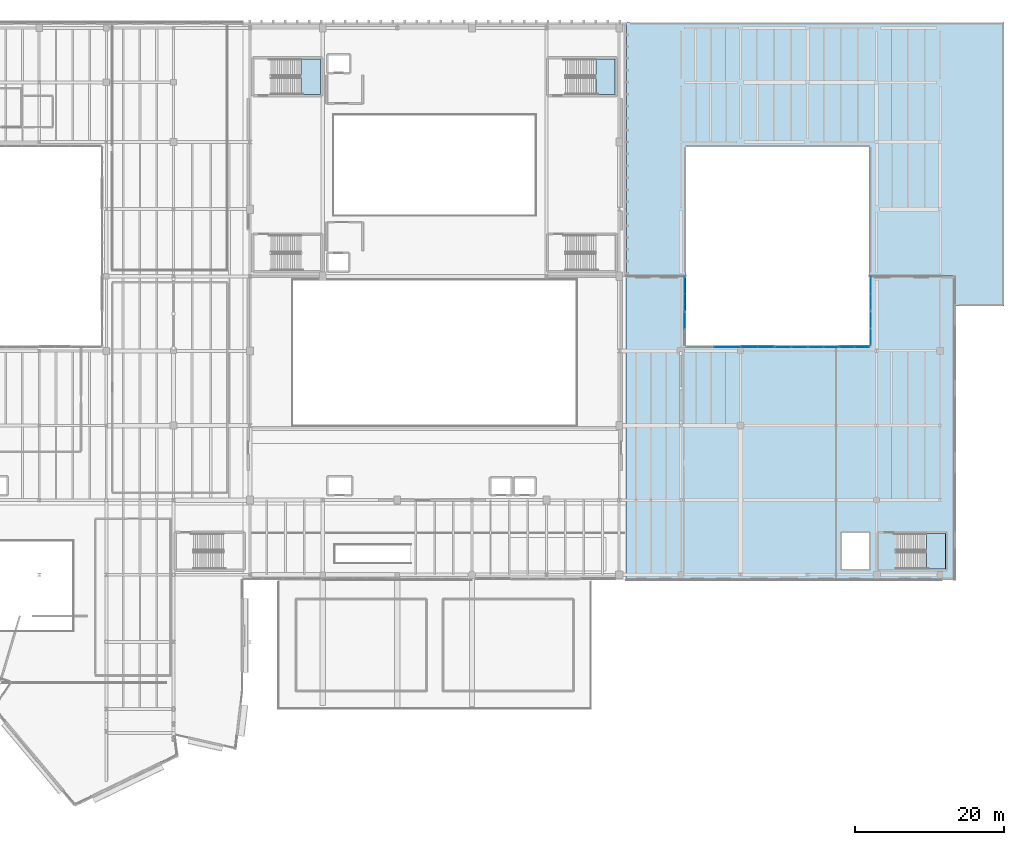
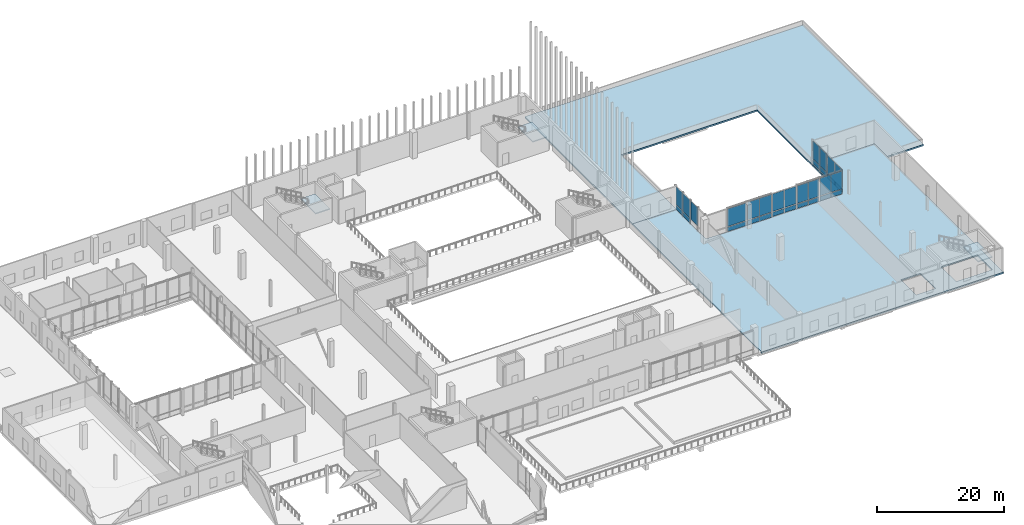
# One storey, part 38 of 60: 31 plates, 5 slabs, 12 elements without a shape of their own.
"""IFC4 building model written with IfcOpenShell, lengths in metres."""

from ifc_helpers import new_model, si_unit, direction, frame, origin, origin_2d, place, context, subcontext, project, spatial, polyline, rectangle, outline, extrude, material, layer, layer_set, type_object, element, aggregate, save


model = new_model("IFC4")

# Units and contexts
model_context = context("Model", 3, precision=1e-05, world=origin(), true_north=direction((0.0, 1.0)))
body_context = subcontext(model_context, "Body", "Model", "MODEL_VIEW")
ifc_project = project(units=[si_unit("LENGTHUNIT", "METRE"), si_unit("AREAUNIT", "SQUARE_METRE"), si_unit("VOLUMEUNIT", "CUBIC_METRE"), si_unit("PLANEANGLEUNIT", "RADIAN"), si_unit("MASSUNIT", "GRAM", prefix="KILO")], contexts=[model_context])

# Site, building, storey
site_placement = place(None, origin())
site = spatial("IfcSite", under=ifc_project, at=site_placement, CompositionType="ELEMENT")
building_placement = place(site_placement, origin())
building = spatial("IfcBuilding", under=site, at=building_placement, Name="Trimount Lyric Opera House", CompositionType="ELEMENT")
storey_placement = place(building_placement, frame((0.0, 0.0, 15.0)))
storey = spatial("IfcBuildingStorey", under=building, at=storey_placement, Name="L03", CompositionType="ELEMENT", Elevation=15.0)

# Curtain wall, plates
ifc_material_1 = material(Name="Thermally Broken Aluminium and Low-E Glass", Category="aluminium")
curtain_wall_type = type_object("IfcCurtainWallType", Name="CW-03", PredefinedType="NOTDEFINED", material=ifc_material_1)
curtain_wall_1_placement = place(storey_placement, origin())
curtain_wall_1 = element("IfcCurtainWall", 1, at=curtain_wall_1_placement, inside=storey, type_object=curtain_wall_type, Name="L03 curtain wall 247", PredefinedType="NOTDEFINED")
ifc_material_2 = material(Name="Triple Low-E Acoustic Laminated Glass", Category="glass")
ifc_layer_1 = layer(ifc_material_2, 0.035888671875)
ifc_layer_set_1 = layer_set([ifc_layer_1], Name="CWP-01")
plate_type_1 = type_object("IfcPlateType", Name="CWP-01", PredefinedType="CURTAIN_PANEL", material=ifc_layer_set_1)
plate_1_placement = place(storey_placement, frame((122.5400390625, 82.81884765625, 0.13525390625), z_axis=(0.0, 0.0, 1.0), x_axis=(0.0, -1.0, 0.0)))
plate_1 = element("IfcPlate", 2, at=plate_1_placement, type_object=plate_type_1, Name="CW-03 panel 1.1", PredefinedType="CURTAIN_PANEL", context=body_context, shape_type="SweptSolid", body=[
    extrude(rectangle(XDim=2.232421875, YDim=0.035888671875, at=origin_2d()), origin(), (0.0, 0.0, 1.0), 0.847412109375),
])
plate_2_placement = place(storey_placement, frame((122.5400390625, 80.521240234375, 0.13525390625), z_axis=(0.0, 0.0, 1.0), x_axis=(0.0, -1.0, 0.0)))
plate_2 = element("IfcPlate", 3, at=plate_2_placement, type_object=plate_type_1, Name="CW-03 panel 2.1", PredefinedType="CURTAIN_PANEL", context=body_context, shape_type="SweptSolid", body=[
    extrude(rectangle(XDim=2.232421875, YDim=0.035888671875, at=origin_2d()), origin(), (0.0, 0.0, 1.0), 0.847412109375),
])

# Curtain wall, plate
curtain_wall_2_placement = place(storey_placement, origin())
curtain_wall_2 = element("IfcCurtainWall", 4, at=curtain_wall_2_placement, inside=storey, type_object=curtain_wall_type, Name="L03 curtain wall 250", PredefinedType="NOTDEFINED")
plate_3_placement = place(storey_placement, frame((128.215087890625, 74.5400390625, 0.13525390625), z_axis=(0.0, 0.0, 1.0), x_axis=(1.0, 0.0, 0.0)))
plate_3 = element("IfcPlate", 5, at=plate_3_placement, type_object=plate_type_1, Name="CW-03 panel 1.1", PredefinedType="CURTAIN_PANEL", context=body_context, shape_type="SweptSolid", body=[
    extrude(rectangle(XDim=3.43994140625, YDim=0.035888671875, at=origin_2d()), origin(), (0.0, 0.0, 1.0), 0.847412109375),
])

# Curtain wall, plates
curtain_wall_3_placement = place(storey_placement, origin())
curtain_wall_3 = element("IfcCurtainWall", 6, at=curtain_wall_3_placement, inside=storey, type_object=curtain_wall_type, Name="L03 curtain wall 251", PredefinedType="NOTDEFINED")
plate_4_placement = place(storey_placement, frame((131.20751953125, 74.5400390625, 0.114990234375), z_axis=(0.0, 0.0, 1.0), x_axis=(1.0, 0.0, 0.0)))
plate_4 = element("IfcPlate", 7, at=plate_4_placement, type_object=plate_type_1, Name="CW-03 panel 1.1", PredefinedType="CURTAIN_PANEL", context=body_context, shape_type="SweptSolid", body=[
    extrude(rectangle(XDim=2.114990234375, YDim=0.035888671875, at=origin_2d()), origin(), (0.0, 0.0, 1.0), 0.87744140625),
])
plate_5_placement = place(storey_placement, frame((133.382568359375, 74.5400390625, 0.114990234375), z_axis=(0.0, 0.0, 1.0), x_axis=(1.0, 0.0, 0.0)))
plate_5 = element("IfcPlate", 8, at=plate_5_placement, type_object=plate_type_1, Name="CW-03 panel 2.1", PredefinedType="CURTAIN_PANEL", context=body_context, shape_type="SweptSolid", body=[
    extrude(rectangle(XDim=2.114990234375, YDim=0.035888671875, at=origin_2d()), origin(), (0.0, 0.0, 1.0), 0.87744140625),
])

curtain_wall_4_placement = place(storey_placement, origin())
curtain_wall_4 = element("IfcCurtainWall", 9, at=curtain_wall_4_placement, inside=storey, type_object=curtain_wall_type, Name="L03 curtain wall 252", PredefinedType="NOTDEFINED")
plate_6_placement = place(storey_placement, frame((135.7099609375, 74.5400390625, 0.159912109375), z_axis=(0.0, 0.0, 1.0), x_axis=(1.0, 0.0, 0.0)))
plate_6 = element("IfcPlate", 10, at=plate_6_placement, type_object=plate_type_1, Name="CW-03 panel 1.1", PredefinedType="CURTAIN_PANEL", context=body_context, shape_type="SweptSolid", body=[
    extrude(rectangle(XDim=2.10009765625, YDim=0.035888671875, at=origin_2d()), origin(), (0.0, 0.0, 1.0), 0.81005859375),
])
plate_7_placement = place(storey_placement, frame((137.8798828125, 74.5400390625, 0.159912109375), z_axis=(0.0, 0.0, 1.0), x_axis=(1.0, 0.0, 0.0)))
plate_7 = element("IfcPlate", 11, at=plate_7_placement, type_object=plate_type_1, Name="CW-03 panel 2.1", PredefinedType="CURTAIN_PANEL", context=body_context, shape_type="SweptSolid", body=[
    extrude(rectangle(XDim=2.10009765625, YDim=0.035888671875, at=origin_2d()), origin(), (0.0, 0.0, 1.0), 0.81005859375),
])

curtain_wall_5_placement = place(storey_placement, origin())
curtain_wall_5 = element("IfcCurtainWall", 12, at=curtain_wall_5_placement, inside=storey, type_object=curtain_wall_type, Name="L03 curtain wall 253", PredefinedType="NOTDEFINED")
plate_8_placement = place(storey_placement, frame((140.123779296875, 74.5400390625, 0.13525390625), z_axis=(0.0, 0.0, 1.0), x_axis=(1.0, 0.0, 0.0)))
plate_8 = element("IfcPlate", 13, at=plate_8_placement, type_object=plate_type_1, Name="CW-03 panel 1.1", PredefinedType="CURTAIN_PANEL", context=body_context, shape_type="SweptSolid", body=[
    extrude(rectangle(XDim=1.9375, YDim=0.035888671875, at=origin_2d()), origin(), (0.0, 0.0, 1.0), 0.847412109375),
])
plate_9_placement = place(storey_placement, frame((142.126220703125, 74.5400390625, 0.13525390625), z_axis=(0.0, 0.0, 1.0), x_axis=(1.0, 0.0, 0.0)))
plate_9 = element("IfcPlate", 14, at=plate_9_placement, type_object=plate_type_1, Name="CW-03 panel 2.1", PredefinedType="CURTAIN_PANEL", context=body_context, shape_type="SweptSolid", body=[
    extrude(rectangle(XDim=1.9375, YDim=0.035888671875, at=origin_2d()), origin(), (0.0, 0.0, 1.0), 0.847412109375),
])

curtain_wall_6_placement = place(storey_placement, origin())
curtain_wall_6 = element("IfcCurtainWall", 15, at=curtain_wall_6_placement, inside=storey, type_object=curtain_wall_type, Name="L03 curtain wall 254", PredefinedType="NOTDEFINED")
plate_10_placement = place(storey_placement, frame((144.282470703125, 74.5400390625, 0.114990234375), z_axis=(0.0, 0.0, 1.0), x_axis=(1.0, 0.0, 0.0)))
plate_10 = element("IfcPlate", 16, at=plate_10_placement, type_object=plate_type_1, Name="CW-03 panel 1.1", PredefinedType="CURTAIN_PANEL", context=body_context, shape_type="SweptSolid", body=[
    extrude(rectangle(XDim=1.945068359375, YDim=0.035888671875, at=origin_2d()), origin(), (0.0, 0.0, 1.0), 0.87744140625),
])
plate_11_placement = place(storey_placement, frame((146.28759765625, 74.5400390625, 0.114990234375), z_axis=(0.0, 0.0, 1.0), x_axis=(1.0, 0.0, 0.0)))
plate_11 = element("IfcPlate", 17, at=plate_11_placement, type_object=plate_type_1, Name="CW-03 panel 2.1", PredefinedType="CURTAIN_PANEL", context=body_context, shape_type="SweptSolid", body=[
    extrude(rectangle(XDim=1.945068359375, YDim=0.035888671875, at=origin_2d()), origin(), (0.0, 0.0, 1.0), 0.87744140625),
])

curtain_wall_7_placement = place(storey_placement, origin())
curtain_wall_7 = element("IfcCurtainWall", 18, at=curtain_wall_7_placement, inside=storey, type_object=curtain_wall_type, Name="L03 curtain wall 255", PredefinedType="NOTDEFINED")
plate_12_placement = place(storey_placement, frame((147.4599609375, 75.862548828125, 0.159912109375), z_axis=(0.0, 0.0, 1.0), x_axis=(0.0, 1.0, 0.0)))
plate_12 = element("IfcPlate", 19, at=plate_12_placement, type_object=plate_type_1, Name="CW-03 panel 1.1", PredefinedType="CURTAIN_PANEL", context=body_context, shape_type="SweptSolid", body=[
    extrude(rectangle(XDim=2.22509765625, YDim=0.035888671875, at=origin_2d()), origin(), (0.0, 0.0, 1.0), 0.81005859375),
])
plate_13_placement = place(storey_placement, frame((147.4599609375, 78.157470703125, 0.159912109375), z_axis=(0.0, 0.0, 1.0), x_axis=(0.0, 1.0, 0.0)))
plate_13 = element("IfcPlate", 20, at=plate_13_placement, type_object=plate_type_1, Name="CW-03 panel 2.1", PredefinedType="CURTAIN_PANEL", context=body_context, shape_type="SweptSolid", body=[
    extrude(rectangle(XDim=2.22509765625, YDim=0.035888671875, at=origin_2d()), origin(), (0.0, 0.0, 1.0), 0.81005859375),
])

curtain_wall_8_placement = place(storey_placement, origin())
curtain_wall_8 = element("IfcCurtainWall", 21, at=curtain_wall_8_placement, inside=storey, type_object=curtain_wall_type, Name="L03 curtain wall 256", PredefinedType="NOTDEFINED")
plate_14_placement = place(storey_placement, frame((147.4599609375, 80.5888671875, 0.13525390625), z_axis=(0.0, 0.0, 1.0), x_axis=(0.0, 1.0, 0.0)))
plate_14 = element("IfcPlate", 22, at=plate_14_placement, type_object=plate_type_1, Name="CW-03 panel 1.1", PredefinedType="CURTAIN_PANEL", context=body_context, shape_type="SweptSolid", body=[
    extrude(rectangle(XDim=2.1875, YDim=0.035888671875, at=origin_2d()), origin(), (0.0, 0.0, 1.0), 0.847412109375),
])
plate_15_placement = place(storey_placement, frame((147.4599609375, 82.84130859375, 0.13525390625), z_axis=(0.0, 0.0, 1.0), x_axis=(0.0, 1.0, 0.0)))
plate_15 = element("IfcPlate", 23, at=plate_15_placement, type_object=plate_type_1, Name="CW-03 panel 2.1", PredefinedType="CURTAIN_PANEL", context=body_context, shape_type="SweptSolid", body=[
    extrude(rectangle(XDim=2.1875, YDim=0.035888671875, at=origin_2d()), origin(), (0.0, 0.0, 1.0), 0.847412109375),
])

# Plate
ifc_material_3 = material(Name="Insulated Aluminium Shadow-Box Spandrel Panel", Category="aluminium")
ifc_layer_2 = layer(ifc_material_3, 0.0419921875)
ifc_layer_set_2 = layer_set([ifc_layer_2], Name="CWP-04")
plate_type_2 = type_object("IfcPlateType", Name="CWP-04", PredefinedType="CURTAIN_PANEL", material=ifc_layer_set_2)
plate_16_placement = place(storey_placement, frame((122.5400390625, 82.81884765625, 1.117431640625), z_axis=(0.0, 0.0, 1.0), x_axis=(0.0, -1.0, 0.0)))
plate_16 = element("IfcPlate", 24, at=plate_16_placement, type_object=plate_type_2, Name="CW-03 panel 1.2", PredefinedType="CURTAIN_PANEL", context=body_context, shape_type="SweptSolid", body=[
    extrude(rectangle(XDim=2.232421875, YDim=0.035888671875, at=origin_2d()), origin(), (0.0, 0.0, 1.0), 3.3974609375),
])

plate_17_placement = place(storey_placement, frame((122.5400390625, 80.521240234375, 1.117431640625), z_axis=(0.0, 0.0, 1.0), x_axis=(0.0, -1.0, 0.0)))
plate_17 = element("IfcPlate", 25, at=plate_17_placement, type_object=plate_type_2, Name="CW-03 panel 2.2", PredefinedType="CURTAIN_PANEL", context=body_context, shape_type="SweptSolid", body=[
    extrude(rectangle(XDim=2.232421875, YDim=0.035888671875, at=origin_2d()), origin(), (0.0, 0.0, 1.0), 3.3974609375),
])

aggregate(curtain_wall_1, [plate_1, plate_16, plate_2, plate_17])

# Curtain wall, plate
curtain_wall_9_placement = place(storey_placement, origin())
curtain_wall_9 = element("IfcCurtainWall", 26, at=curtain_wall_9_placement, inside=storey, type_object=curtain_wall_type, Name="L03 curtain wall 248", PredefinedType="NOTDEFINED")
plate_18_placement = place(storey_placement, frame((122.5400390625, 78.092529296875, 1.107421875), z_axis=(0.0, 0.0, 1.0), x_axis=(0.0, -1.0, 0.0)))
plate_18 = element("IfcPlate", 27, at=plate_18_placement, type_object=plate_type_2, Name="CW-03 panel 1.2", PredefinedType="CURTAIN_PANEL", context=body_context, shape_type="SweptSolid", body=[
    extrude(rectangle(XDim=2.195068359375, YDim=0.035888671875, at=origin_2d()), origin(), (0.0, 0.0, 1.0), 3.427490234375),
])
aggregate(curtain_wall_9, [plate_18])

# Plate
plate_19_placement = place(storey_placement, frame((128.215087890625, 74.5400390625, 1.117431640625), z_axis=(0.0, 0.0, 1.0), x_axis=(1.0, 0.0, 0.0)))
plate_19 = element("IfcPlate", 28, at=plate_19_placement, type_object=plate_type_2, Name="CW-03 panel 1.2", PredefinedType="CURTAIN_PANEL", context=body_context, shape_type="SweptSolid", body=[
    extrude(rectangle(XDim=3.43994140625, YDim=0.035888671875, at=origin_2d()), origin(), (0.0, 0.0, 1.0), 3.3974609375),
])

aggregate(curtain_wall_2, [plate_3, plate_19])

plate_20_placement = place(storey_placement, frame((131.20751953125, 74.5400390625, 1.107421875), z_axis=(0.0, 0.0, 1.0), x_axis=(1.0, 0.0, 0.0)))
plate_20 = element("IfcPlate", 29, at=plate_20_placement, type_object=plate_type_2, Name="CW-03 panel 1.2", PredefinedType="CURTAIN_PANEL", context=body_context, shape_type="SweptSolid", body=[
    extrude(rectangle(XDim=2.114990234375, YDim=0.035888671875, at=origin_2d()), origin(), (0.0, 0.0, 1.0), 3.427490234375),
])

plate_21_placement = place(storey_placement, frame((133.382568359375, 74.5400390625, 1.107421875), z_axis=(0.0, 0.0, 1.0), x_axis=(1.0, 0.0, 0.0)))
plate_21 = element("IfcPlate", 30, at=plate_21_placement, type_object=plate_type_2, Name="CW-03 panel 2.2", PredefinedType="CURTAIN_PANEL", context=body_context, shape_type="SweptSolid", body=[
    extrude(rectangle(XDim=2.114990234375, YDim=0.035888671875, at=origin_2d()), origin(), (0.0, 0.0, 1.0), 3.427490234375),
])

aggregate(curtain_wall_3, [plate_4, plate_20, plate_5, plate_21])

plate_22_placement = place(storey_placement, frame((135.7099609375, 74.5400390625, 1.1298828125), z_axis=(0.0, 0.0, 1.0), x_axis=(1.0, 0.0, 0.0)))
plate_22 = element("IfcPlate", 31, at=plate_22_placement, type_object=plate_type_2, Name="CW-03 panel 1.2", PredefinedType="CURTAIN_PANEL", context=body_context, shape_type="SweptSolid", body=[
    extrude(rectangle(XDim=2.10009765625, YDim=0.035888671875, at=origin_2d()), origin(), (0.0, 0.0, 1.0), 3.360107421875),
])

plate_23_placement = place(storey_placement, frame((137.8798828125, 74.5400390625, 1.1298828125), z_axis=(0.0, 0.0, 1.0), x_axis=(1.0, 0.0, 0.0)))
plate_23 = element("IfcPlate", 32, at=plate_23_placement, type_object=plate_type_2, Name="CW-03 panel 2.2", PredefinedType="CURTAIN_PANEL", context=body_context, shape_type="SweptSolid", body=[
    extrude(rectangle(XDim=2.10009765625, YDim=0.035888671875, at=origin_2d()), origin(), (0.0, 0.0, 1.0), 3.360107421875),
])

aggregate(curtain_wall_4, [plate_6, plate_22, plate_7, plate_23])

plate_24_placement = place(storey_placement, frame((140.123779296875, 74.5400390625, 1.117431640625), z_axis=(0.0, 0.0, 1.0), x_axis=(1.0, 0.0, 0.0)))
plate_24 = element("IfcPlate", 33, at=plate_24_placement, type_object=plate_type_2, Name="CW-03 panel 1.2", PredefinedType="CURTAIN_PANEL", context=body_context, shape_type="SweptSolid", body=[
    extrude(rectangle(XDim=1.9375, YDim=0.035888671875, at=origin_2d()), origin(), (0.0, 0.0, 1.0), 3.3974609375),
])

plate_25_placement = place(storey_placement, frame((142.126220703125, 74.5400390625, 1.117431640625), z_axis=(0.0, 0.0, 1.0), x_axis=(1.0, 0.0, 0.0)))
plate_25 = element("IfcPlate", 34, at=plate_25_placement, type_object=plate_type_2, Name="CW-03 panel 2.2", PredefinedType="CURTAIN_PANEL", context=body_context, shape_type="SweptSolid", body=[
    extrude(rectangle(XDim=1.9375, YDim=0.035888671875, at=origin_2d()), origin(), (0.0, 0.0, 1.0), 3.3974609375),
])

aggregate(curtain_wall_5, [plate_8, plate_24, plate_9, plate_25])

plate_26_placement = place(storey_placement, frame((144.282470703125, 74.5400390625, 1.107421875), z_axis=(0.0, 0.0, 1.0), x_axis=(1.0, 0.0, 0.0)))
plate_26 = element("IfcPlate", 35, at=plate_26_placement, type_object=plate_type_2, Name="CW-03 panel 1.2", PredefinedType="CURTAIN_PANEL", context=body_context, shape_type="SweptSolid", body=[
    extrude(rectangle(XDim=1.945068359375, YDim=0.035888671875, at=origin_2d()), origin(), (0.0, 0.0, 1.0), 3.427490234375),
])

plate_27_placement = place(storey_placement, frame((146.28759765625, 74.5400390625, 1.107421875), z_axis=(0.0, 0.0, 1.0), x_axis=(1.0, 0.0, 0.0)))
plate_27 = element("IfcPlate", 36, at=plate_27_placement, type_object=plate_type_2, Name="CW-03 panel 2.2", PredefinedType="CURTAIN_PANEL", context=body_context, shape_type="SweptSolid", body=[
    extrude(rectangle(XDim=1.945068359375, YDim=0.035888671875, at=origin_2d()), origin(), (0.0, 0.0, 1.0), 3.427490234375),
])

aggregate(curtain_wall_6, [plate_10, plate_26, plate_11, plate_27])

plate_28_placement = place(storey_placement, frame((147.4599609375, 75.862548828125, 1.130126953125), z_axis=(0.0, 0.0, 1.0), x_axis=(0.0, 1.0, 0.0)))
plate_28 = element("IfcPlate", 37, at=plate_28_placement, type_object=plate_type_2, Name="CW-03 panel 1.2", PredefinedType="CURTAIN_PANEL", context=body_context, shape_type="SweptSolid", body=[
    extrude(rectangle(XDim=2.22509765625, YDim=0.035888671875, at=origin_2d()), origin(), (0.0, 0.0, 1.0), 3.419921875),
])

plate_29_placement = place(storey_placement, frame((147.4599609375, 78.157470703125, 1.130126953125), z_axis=(0.0, 0.0, 1.0), x_axis=(0.0, 1.0, 0.0)))
plate_29 = element("IfcPlate", 38, at=plate_29_placement, type_object=plate_type_2, Name="CW-03 panel 2.2", PredefinedType="CURTAIN_PANEL", context=body_context, shape_type="SweptSolid", body=[
    extrude(rectangle(XDim=2.22509765625, YDim=0.035888671875, at=origin_2d()), origin(), (0.0, 0.0, 1.0), 3.419921875),
])

aggregate(curtain_wall_7, [plate_12, plate_28, plate_13, plate_29])

plate_30_placement = place(storey_placement, frame((147.4599609375, 80.5888671875, 1.117431640625), z_axis=(0.0, 0.0, 1.0), x_axis=(0.0, 1.0, 0.0)))
plate_30 = element("IfcPlate", 39, at=plate_30_placement, type_object=plate_type_2, Name="CW-03 panel 1.2", PredefinedType="CURTAIN_PANEL", context=body_context, shape_type="SweptSolid", body=[
    extrude(rectangle(XDim=2.1875, YDim=0.035888671875, at=origin_2d()), origin(), (0.0, 0.0, 1.0), 3.45751953125),
])

plate_31_placement = place(storey_placement, frame((147.4599609375, 82.84130859375, 1.117431640625), z_axis=(0.0, 0.0, 1.0), x_axis=(0.0, 1.0, 0.0)))
plate_31 = element("IfcPlate", 40, at=plate_31_placement, type_object=plate_type_2, Name="CW-03 panel 2.2", PredefinedType="CURTAIN_PANEL", context=body_context, shape_type="SweptSolid", body=[
    extrude(rectangle(XDim=2.1875, YDim=0.035888671875, at=origin_2d()), origin(), (0.0, 0.0, 1.0), 3.45751953125),
])

aggregate(curtain_wall_8, [plate_14, plate_30, plate_15, plate_31])

# Slab
ifc_material_4 = material(Name="Concrete C40/50", Category="concrete")
ifc_layer_3 = layer(ifc_material_4, 0.27001953125)
ifc_layer_set_3 = layer_set([ifc_layer_3], Name="SL-FL270")
slab_type_1 = type_object("IfcSlabType", Name="SL-FL270", PredefinedType="FLOOR", material=ifc_layer_set_3)
slab_1_placement = place(storey_placement, frame((0.0, 0.0, -0.27001953125)))
element("IfcSlab", 41, at=slab_1_placement, inside=storey, type_object=slab_type_1, Name="L03 floor slab L03-EAST-S", PredefinedType="FLOOR", context=body_context, shape_type="SweptSolid", body=[
    extrude(outline(polyline([(114.679931640625, 43.320068359375), (114.679931640625, 84.0), (122.679931640625, 84.0), (122.679931640625, 74.679931640625), (147.320068359375, 74.679931640625), (147.320068359375, 84.0), (158.679931640625, 84.0), (158.679931640625, 43.320068359375), (114.679931640625, 43.320068359375)]), holes=[polyline([(157.5, 49.5), (150.89990234375, 49.5), (150.89990234375, 44.800048828125), (157.5, 44.800048828125), (157.5, 49.5)]), polyline([(147.199951171875, 49.60009765625), (143.60009765625, 49.60009765625), (143.60009765625, 44.800048828125), (147.199951171875, 44.800048828125), (147.199951171875, 49.60009765625)])]), origin(), (0.0, 0.0, 1.0), 0.27001953125),
])

# Stair, slab
ifc_material_5 = material(Name="Concrete C40/50", Category="concrete")
stair_type = type_object("IfcStairType", Name="STR-CORE-A", PredefinedType="TWO_QUARTER_TURN_STAIR", material=ifc_material_5)
stair_1_placement = place(storey_placement, origin())
stair_1 = element("IfcStair", 42, at=stair_1_placement, inside=storey, type_object=stair_type, Name="L03 Exit Stair ST-01", PredefinedType="TWO_QUARTER_TURN_STAIR")
ifc_material_6 = material(Name="Concrete C40/50", Category="concrete")
ifc_layer_4 = layer(ifc_material_6, 0.199951171875)
ifc_layer_set_4 = layer_set([ifc_layer_4], Name="SL-LND200")
slab_type_2 = type_object("IfcSlabType", Name="SL-LND200", PredefinedType="LANDING", material=ifc_layer_set_4)
slab_2_placement = place(storey_placement, frame((0.0, 0.0, 2.300048828125)))
slab_2 = element("IfcSlab", 43, at=slab_2_placement, type_object=slab_type_2, Name="ST-01 landing 1", PredefinedType="LANDING", context=body_context, shape_type="SweptSolid", body=[
    extrude(outline(polyline([(71.110107421875, 108.39990234375), (73.699951171875, 108.39990234375), (73.699951171875, 113.10009765625), (71.110107421875, 113.10009765625), (71.110107421875, 108.39990234375)])), origin(), (0.0, 0.0, 1.0), 0.199951171875),
])
aggregate(stair_1, [slab_2])

stair_2_placement = place(storey_placement, origin())
stair_2 = element("IfcStair", 44, at=stair_2_placement, inside=storey, type_object=stair_type, Name="L03 Exit Stair ST-02", PredefinedType="TWO_QUARTER_TURN_STAIR")
slab_3_placement = place(storey_placement, frame((0.0, 0.0, 2.300048828125)))
slab_3 = element("IfcSlab", 45, at=slab_3_placement, type_object=slab_type_2, Name="ST-02 landing 1", PredefinedType="LANDING", context=body_context, shape_type="SweptSolid", body=[
    extrude(outline(polyline([(110.610107421875, 108.39990234375), (113.199951171875, 108.39990234375), (113.199951171875, 113.10009765625), (110.610107421875, 113.10009765625), (110.610107421875, 108.39990234375)])), origin(), (0.0, 0.0, 1.0), 0.199951171875),
])
aggregate(stair_2, [slab_3])

stair_3_placement = place(storey_placement, origin())
stair_3 = element("IfcStair", 46, at=stair_3_placement, inside=storey, type_object=stair_type, Name="L03 Exit Stair ST-05", PredefinedType="TWO_QUARTER_TURN_STAIR")
slab_4_placement = place(storey_placement, frame((0.0, 0.0, 2.300048828125)))
slab_4 = element("IfcSlab", 47, at=slab_4_placement, type_object=slab_type_2, Name="ST-05 landing 1", PredefinedType="LANDING", context=body_context, shape_type="SweptSolid", body=[
    extrude(outline(polyline([(154.909912109375, 44.800048828125), (157.5, 44.800048828125), (157.5, 49.5), (154.909912109375, 49.5), (154.909912109375, 44.800048828125)])), origin(), (0.0, 0.0, 1.0), 0.199951171875),
])
aggregate(stair_3, [slab_4])

# Slab
ifc_material_7 = material(Name="Concrete C40/50", Category="concrete")
ifc_layer_5 = layer(ifc_material_7, 0.2900390625)
ifc_layer_set_5 = layer_set([ifc_layer_5], Name="SL-RF290")
slab_type_3 = type_object("IfcSlabType", Name="SL-RF290", PredefinedType="ROOF", material=ifc_layer_set_5)
slab_5_placement = place(storey_placement, frame((0.0, 0.0, -0.2900390625)))
element("IfcSlab", 48, at=slab_5_placement, inside=storey, type_object=slab_type_3, Name="East north scenery workshop roof", PredefinedType="ROOF", context=body_context, shape_type="SweptSolid", body=[
    extrude(outline(polyline([(158.68994140625, 84.010009765625), (147.320068359375, 84.010009765625), (147.320068359375, 101.320068359375), (122.679931640625, 101.320068359375), (122.679931640625, 84.010009765625), (114.68994140625, 84.010009765625), (114.68994140625, 118.0), (165.320068359375, 118.0), (165.320068359375, 80.0), (158.68994140625, 80.0), (158.68994140625, 84.010009765625)])), origin(), (0.0, 0.0, 1.0), 0.2900390625),
])

save(model, "model.ifc")
